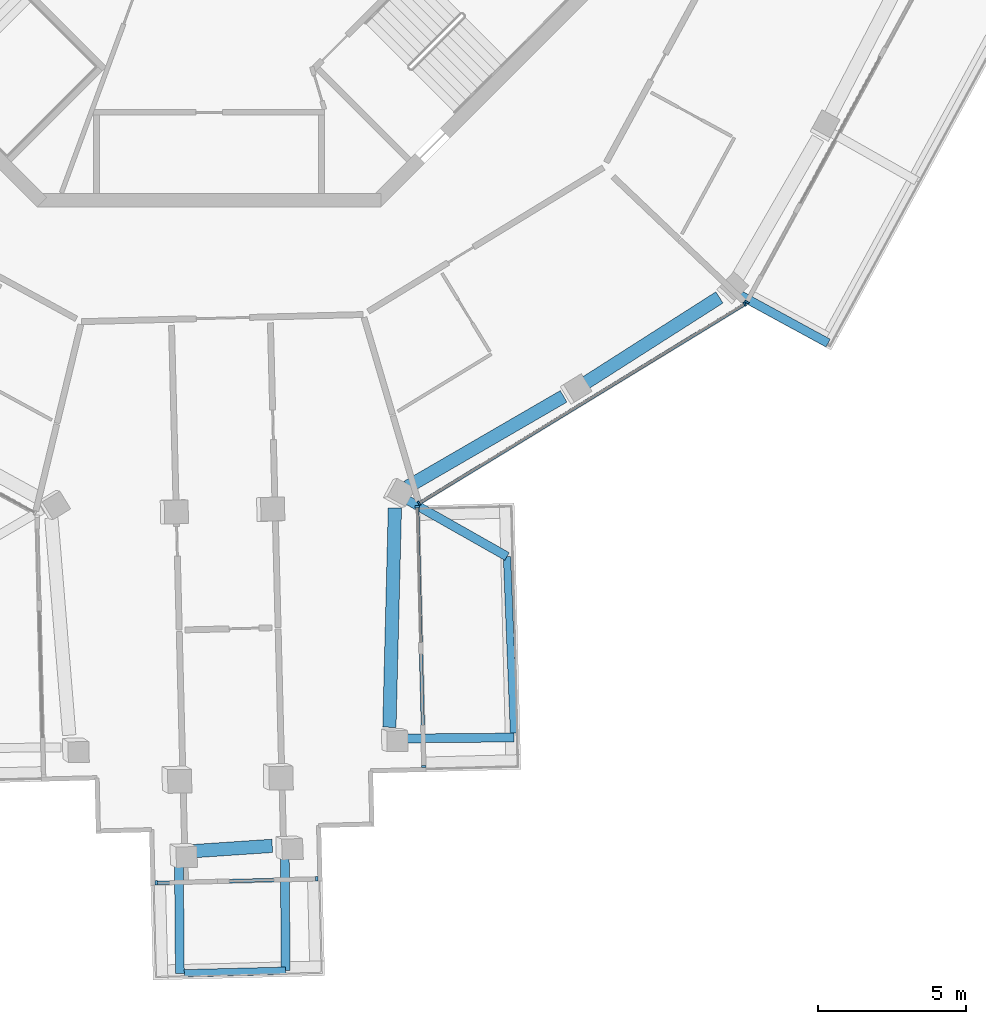
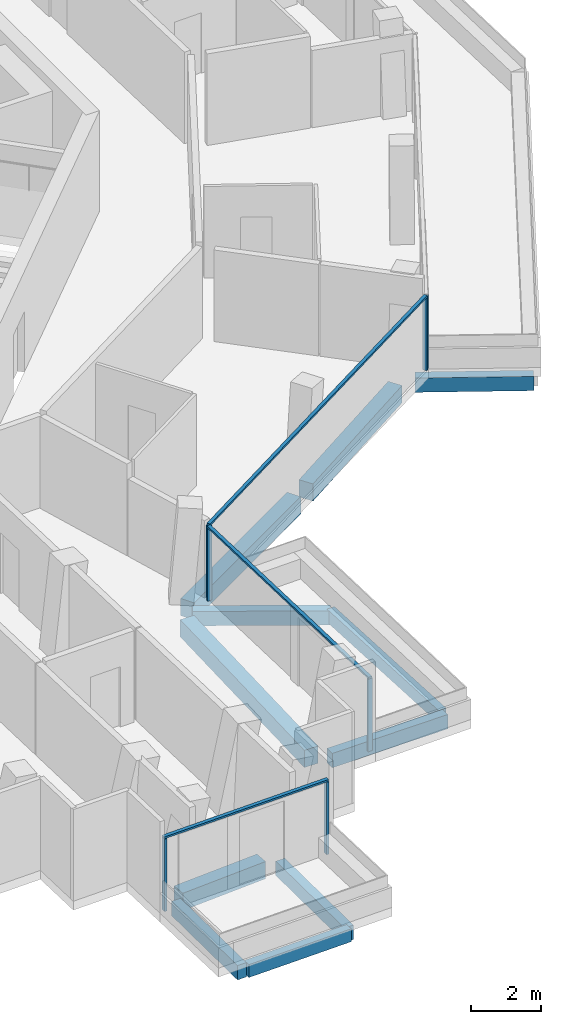
# One storey, part 3 of 26: 11 beams, 10 members, 4 elements without a shape of their own.
"""IFC4 building model written with IfcOpenShell, lengths in metres."""

from ifc_helpers import new_model, si_unit, direction, frame, origin, origin_2d, place, context, subcontext, project, spatial, rectangle, extrude, material, layer, layer_set, material_profile, profile_set, type_object, element, aggregate, save


model = new_model("IFC4")

# Units and contexts
model_context = context("Model", 3, precision=1e-05, world=origin(), true_north=direction((0.0, 1.0)))
body_context = subcontext(model_context, "Body", "Model", "MODEL_VIEW")
ifc_project = project(units=[si_unit("LENGTHUNIT", "METRE"), si_unit("AREAUNIT", "SQUARE_METRE"), si_unit("VOLUMEUNIT", "CUBIC_METRE"), si_unit("PLANEANGLEUNIT", "RADIAN"), si_unit("MASSUNIT", "GRAM", prefix="KILO")], contexts=[model_context])

# Site, building, storey
site_placement = place(None, origin())
site = spatial("IfcSite", under=ifc_project, at=site_placement, CompositionType="ELEMENT")
building_placement = place(site_placement, origin())
building = spatial("IfcBuilding", under=site, at=building_placement, Name="Verdalira Terraces Hotel", CompositionType="ELEMENT")
storey_placement = place(building_placement, frame((0.0, 0.0, 284.5)))
storey = spatial("IfcBuildingStorey", under=building, at=storey_placement, Name="L70", CompositionType="ELEMENT", Elevation=284.5)

# Beams
ifc_material_1 = material(Name="Concrete C40", Category="concrete")
ifc_material_profile_1 = material_profile(ifc_material_1, rectangle(XDim=0.300049, YDim=0.5, at=origin_2d()), Name="RC 300X500")
ifc_profile_set_1 = profile_set([ifc_material_profile_1], Name="Concrete C40")
beam_type_1 = type_object("IfcBeamType", Name="Balcony cantilever beam RC 300X500 C40", PredefinedType="BEAM", material=ifc_profile_set_1)
beam_1_placement = place(storey_placement, frame((-1.019775, -36.178223, -0.560059), z_axis=(0.008415218, -0.999964591, 0.0), x_axis=(0.999964591, 0.008415218, 0.0)))
element("IfcBeam", 1, at=beam_1_placement, inside=storey, type_object=beam_type_1, Name="Balcony cantilever beam R19-1", PredefinedType="BEAM", context=body_context, shape_type="SweptSolid", body=[
    extrude(rectangle(XDim=0.300049, YDim=0.5, at=origin_2d()), origin(), (0.0, 0.0, 1.0), 3.713623),
])
beam_2_placement = place(storey_placement, frame((2.55542, -35.933594, -0.560059), z_axis=(0.008394049, -0.999964769, 0.0), x_axis=(0.999964769, 0.008394049, 0.0)))
element("IfcBeam", 2, at=beam_2_placement, inside=storey, type_object=beam_type_1, Name="Balcony cantilever beam R19-2", PredefinedType="BEAM", context=body_context, shape_type="SweptSolid", body=[
    extrude(rectangle(XDim=0.300049, YDim=0.5, at=origin_2d()), origin(), (0.0, 0.0, 1.0), 3.868408),
])
beam_3_placement = place(storey_placement, frame((6.477783, -31.955078, -0.560059), z_axis=(0.999965093, 0.008355366, 0.0), x_axis=(-0.008355366, 0.999965093, 0.0)))
element("IfcBeam", 3, at=beam_3_placement, inside=storey, type_object=beam_type_1, Name="Balcony cantilever beam R24-1", PredefinedType="BEAM", context=body_context, shape_type="SweptSolid", body=[
    extrude(rectangle(XDim=0.300049, YDim=0.5, at=origin_2d()), origin(), (0.0, 0.0, 1.0), 3.827881),
])
beam_4_placement = place(storey_placement, frame((6.626465, -23.860352, -0.560059), z_axis=(0.870183857, -0.492727161, 0.0), x_axis=(0.492727161, 0.870183857, 0.0)))
element("IfcBeam", 4, at=beam_4_placement, inside=storey, type_object=beam_type_1, Name="Balcony cantilever beam R24-2", PredefinedType="BEAM", context=body_context, shape_type="SweptSolid", body=[
    extrude(rectangle(XDim=0.300049, YDim=0.5, at=origin_2d()), origin(), (0.0, 0.0, 1.0), 3.949951),
])
beam_5_placement = place(storey_placement, frame((17.938477, -16.978516, -0.560059), z_axis=(0.878308619, -0.478094101, 0.0), x_axis=(0.478094101, 0.878308619, 0.0)))
element("IfcBeam", 5, at=beam_5_placement, inside=storey, type_object=beam_type_1, Name="Balcony cantilever beam R26-1", PredefinedType="BEAM", context=body_context, shape_type="SweptSolid", body=[
    extrude(rectangle(XDim=0.300049, YDim=0.5, at=origin_2d()), origin(), (0.0, 0.0, 1.0), 3.385742),
])
ifc_material_2 = material(Name="Concrete C40", Category="concrete")
ifc_material_profile_2 = material_profile(ifc_material_2, rectangle(XDim=0.25, YDim=0.449951, at=origin_2d()), Name="RC 250X450")
ifc_profile_set_2 = profile_set([ifc_material_profile_2], Name="Concrete C40")
beam_type_2 = type_object("IfcBeamType", Name="Balcony edge beam RC 250X450 C40", PredefinedType="BEAM", material=ifc_profile_set_2)
beam_6_placement = place(storey_placement, frame((-0.838623, -39.887695, -0.534912), z_axis=(0.999685641, 0.025072273, 0.0), x_axis=(-0.025072273, 0.999685641, 0.0)))
element("IfcBeam", 6, at=beam_6_placement, inside=storey, type_object=beam_type_2, Name="Balcony edge beam R19-1", PredefinedType="BEAM", context=body_context, shape_type="SweptSolid", body=[
    extrude(rectangle(XDim=0.25, YDim=0.449951, at=origin_2d()), origin(), (0.0, 0.0, 1.0), 3.42749),
])
beam_7_placement = place(storey_placement, frame((10.299561, -31.773193, -0.534912), z_axis=(-0.039496144, 0.999219723, 0.0), x_axis=(-0.999219723, -0.039496144, 0.0)))
element("IfcBeam", 7, at=beam_7_placement, inside=storey, type_object=beam_type_2, Name="Balcony edge beam R24-1", PredefinedType="BEAM", context=body_context, shape_type="SweptSolid", body=[
    extrude(rectangle(XDim=0.25, YDim=0.449951, at=origin_2d()), origin(), (0.0, 0.0, 1.0), 5.971191),
])

# Curtain wall, members
ifc_material_3 = material(Name="Clear glass", Category="glass")
ifc_layer_1 = layer(ifc_material_3, 0.14990234375)
ifc_layer_set_1 = layer_set([ifc_layer_1], Name="CW1 curtain wall")
curtain_wall_type_1 = type_object("IfcCurtainWallType", Name="CW1 curtain wall", PredefinedType="NOTDEFINED", material=ifc_layer_set_1)
curtain_wall_1_placement = place(storey_placement, origin())
curtain_wall_1 = element("IfcCurtainWall", 8, at=curtain_wall_1_placement, inside=storey, type_object=curtain_wall_type_1, Name="CW1 curtain wall L70 edge 25", PredefinedType="NOTDEFINED")
ifc_material_4 = material(Name="Terracotta frame", Category="masonry")
ifc_material_profile_3 = material_profile(ifc_material_4, rectangle(XDim=0.060059, YDim=0.149902, at=origin_2d()), Name="MU 60x150")
ifc_profile_set_3 = profile_set([ifc_material_profile_3], Name="Terracotta frame")
member_type_1 = type_object("IfcMemberType", Name="CW1 mullion 60x150", PredefinedType="MULLION", material=ifc_profile_set_3)
member_1_placement = place(storey_placement, frame((7.093994, -24.007568, 0.0), z_axis=(0.0, 0.0, 1.0), x_axis=(0.853186856, 0.521605396, 0.0)))
member_1 = element("IfcMember", 9, at=member_1_placement, type_object=member_type_1, Name="CW1 mullion", PredefinedType="MULLION", context=body_context, shape_type="SweptSolid", body=[
    extrude(rectangle(XDim=0.060059, YDim=0.149902, at=origin_2d()), origin(), (0.0, 0.0, 1.0), 2.524902),
])
member_2_placement = place(storey_placement, frame((18.100098, -17.279053, 0.0), z_axis=(0.0, 0.0, 1.0), x_axis=(0.853186856, 0.521605396, 0.0)))
member_2 = element("IfcMember", 10, at=member_2_placement, type_object=member_type_1, Name="CW1 mullion", PredefinedType="MULLION", context=body_context, shape_type="SweptSolid", body=[
    extrude(rectangle(XDim=0.060059, YDim=0.149902, at=origin_2d()), origin(), (0.0, 0.0, 1.0), 2.524902),
])

# Curtain wall, member
curtain_wall_2_placement = place(storey_placement, origin())
curtain_wall_2 = element("IfcCurtainWall", 11, at=curtain_wall_2_placement, inside=storey, type_object=curtain_wall_type_1, Name="CW1 curtain wall L70 edge 26", PredefinedType="NOTDEFINED")
member_3_placement = place(storey_placement, frame((18.166748, -17.208984, 0.0), z_axis=(0.0, 0.0, 1.0), x_axis=(0.478078794, 0.878316951, 0.0)))
member_3 = element("IfcMember", 12, at=member_3_placement, type_object=member_type_1, Name="CW1 mullion", PredefinedType="MULLION", context=body_context, shape_type="SweptSolid", body=[
    extrude(rectangle(XDim=0.060059, YDim=0.149902, at=origin_2d()), origin(), (0.0, 0.0, 1.0), 2.524902),
])
aggregate(curtain_wall_2, [member_3])

# Member
ifc_material_5 = material(Name="Terracotta frame", Category="masonry")
ifc_material_profile_4 = material_profile(ifc_material_5, rectangle(XDim=0.110107, YDim=0.064941, at=origin_2d()), Name="TR 65x110")
ifc_profile_set_4 = profile_set([ifc_material_profile_4], Name="Terracotta frame")
member_type_2 = type_object("IfcMemberType", Name="CW1 transom 65x110", PredefinedType="USERDEFINED", material=ifc_profile_set_4)
member_4_placement = place(storey_placement, frame((7.068359, -24.023438, 2.557617), z_axis=(0.853183098, 0.521611543, 0.0), x_axis=(-0.521611543, 0.853183098, 0.0)))
member_4 = element("IfcMember", 13, at=member_4_placement, type_object=member_type_2, Name="CW1 transom", ObjectType="TRANSOM", PredefinedType="USERDEFINED", context=body_context, shape_type="SweptSolid", body=[
    extrude(rectangle(XDim=0.110107, YDim=0.064941, at=origin_2d()), origin(), (0.0, 0.0, 1.0), 12.959961),
])

aggregate(curtain_wall_1, [member_1, member_2, member_4])

# Curtain wall, members
ifc_material_6 = material(Name="Clear glass", Category="glass")
ifc_layer_2 = layer(ifc_material_6, 0.14990234375)
ifc_layer_set_2 = layer_set([ifc_layer_2], Name="CW2 curtain wall")
curtain_wall_type_2 = type_object("IfcCurtainWallType", Name="CW2 curtain wall", PredefinedType="NOTDEFINED", material=ifc_layer_set_2)
curtain_wall_3_placement = place(storey_placement, origin())
curtain_wall_3 = element("IfcCurtainWall", 14, at=curtain_wall_3_placement, inside=storey, type_object=curtain_wall_type_2, Name="CW2 curtain wall L70 edge 24", PredefinedType="NOTDEFINED")
ifc_material_7 = material(Name="Terracotta frame", Category="masonry")
ifc_material_profile_5 = material_profile(ifc_material_7, rectangle(XDim=0.070068, YDim=0.149902, at=origin_2d()), Name="MU 70x150")
ifc_profile_set_5 = profile_set([ifc_material_profile_5], Name="Terracotta frame")
member_type_3 = type_object("IfcMemberType", Name="CW2 mullion 70x150", PredefinedType="MULLION", material=ifc_profile_set_5)
member_5_placement = place(storey_placement, frame((7.253906, -32.897217, 0.0), z_axis=(0.0, 0.0, 1.0), x_axis=(-0.025130095, 0.999684189, 0.0)))
member_5 = element("IfcMember", 15, at=member_5_placement, type_object=member_type_3, Name="CW2 mullion", PredefinedType="MULLION", context=body_context, shape_type="SweptSolid", body=[
    extrude(rectangle(XDim=0.070068, YDim=0.149902, at=origin_2d()), origin(), (0.0, 0.0, 1.0), 2.524902),
])
member_6_placement = place(storey_placement, frame((7.033447, -24.124268, 0.0), z_axis=(0.0, 0.0, 1.0), x_axis=(-0.025130095, 0.999684189, 0.0)))
member_6 = element("IfcMember", 16, at=member_6_placement, type_object=member_type_3, Name="CW2 mullion", PredefinedType="MULLION", context=body_context, shape_type="SweptSolid", body=[
    extrude(rectangle(XDim=0.070068, YDim=0.149902, at=origin_2d()), origin(), (0.0, 0.0, 1.0), 2.524902),
])
ifc_material_8 = material(Name="Terracotta frame", Category="masonry")
ifc_material_profile_6 = material_profile(ifc_material_8, rectangle(XDim=0.11499, YDim=0.064941, at=origin_2d()), Name="TR 65x115")
ifc_profile_set_6 = profile_set([ifc_material_profile_6], Name="Terracotta frame")
member_type_4 = type_object("IfcMemberType", Name="CW2 transom 65x115", PredefinedType="USERDEFINED", material=ifc_profile_set_6)
member_7_placement = place(storey_placement, frame((7.254883, -32.932129, 2.557617), z_axis=(-0.025143204, 0.99968386, 0.0), x_axis=(-0.99968386, -0.025143204, 0.0)))
member_7 = element("IfcMember", 17, at=member_7_placement, type_object=member_type_4, Name="CW2 transom", ObjectType="TRANSOM", PredefinedType="USERDEFINED", context=body_context, shape_type="SweptSolid", body=[
    extrude(rectangle(XDim=0.11499, YDim=0.064941, at=origin_2d()), origin(), (0.0, 0.0, 1.0), 8.845703),
])
aggregate(curtain_wall_3, [member_5, member_6, member_7])

ifc_material_9 = material(Name="Clear glass", Category="glass")
ifc_layer_3 = layer(ifc_material_9, 0.14990234375)
ifc_layer_set_3 = layer_set([ifc_layer_3], Name="CW3 curtain wall")
curtain_wall_type_3 = type_object("IfcCurtainWallType", Name="CW3 curtain wall", PredefinedType="NOTDEFINED", material=ifc_layer_set_3)
curtain_wall_4_placement = place(storey_placement, origin())
curtain_wall_4 = element("IfcCurtainWall", 18, at=curtain_wall_4_placement, inside=storey, type_object=curtain_wall_type_3, Name="CW3 curtain wall L70 edge 19", PredefinedType="NOTDEFINED")
ifc_material_10 = material(Name="Terracotta frame", Category="masonry")
ifc_material_profile_7 = material_profile(ifc_material_10, rectangle(XDim=0.080078, YDim=0.149902, at=origin_2d()), Name="MU 80x150")
ifc_profile_set_7 = profile_set([ifc_material_profile_7], Name="Terracotta frame")
member_type_5 = type_object("IfcMemberType", Name="CW3 mullion 80x150", PredefinedType="MULLION", material=ifc_profile_set_7)
member_8_placement = place(storey_placement, frame((-1.784912, -36.835693, 0.0), z_axis=(0.0, 0.0, 1.0), x_axis=(0.999684189, 0.025130095, 0.0)))
member_8 = element("IfcMember", 19, at=member_8_placement, type_object=member_type_5, Name="CW3 mullion", PredefinedType="MULLION", context=body_context, shape_type="SweptSolid", body=[
    extrude(rectangle(XDim=0.080078, YDim=0.149902, at=origin_2d()), origin(), (0.0, 0.0, 1.0), 2.524902),
])
member_9_placement = place(storey_placement, frame((3.633301, -36.699463, 0.0), z_axis=(0.0, 0.0, 1.0), x_axis=(0.999684189, 0.025130095, 0.0)))
member_9 = element("IfcMember", 20, at=member_9_placement, type_object=member_type_5, Name="CW3 mullion", PredefinedType="MULLION", context=body_context, shape_type="SweptSolid", body=[
    extrude(rectangle(XDim=0.080078, YDim=0.149902, at=origin_2d()), origin(), (0.0, 0.0, 1.0), 2.524902),
])
ifc_material_11 = material(Name="Terracotta frame", Category="masonry")
ifc_material_profile_8 = material_profile(ifc_material_11, rectangle(XDim=0.120117, YDim=0.064941, at=origin_2d()), Name="TR 65x120")
ifc_profile_set_8 = profile_set([ifc_material_profile_8], Name="Terracotta frame")
member_type_6 = type_object("IfcMemberType", Name="CW3 transom 65x120", PredefinedType="USERDEFINED", material=ifc_profile_set_8)
member_10_placement = place(storey_placement, frame((-1.824951, -36.83667, 2.557617), z_axis=(0.999684338, 0.025124166, 0.0), x_axis=(-0.025124166, 0.999684338, 0.0)))
member_10 = element("IfcMember", 21, at=member_10_placement, type_object=member_type_6, Name="CW3 transom", ObjectType="TRANSOM", PredefinedType="USERDEFINED", context=body_context, shape_type="SweptSolid", body=[
    extrude(rectangle(XDim=0.120117, YDim=0.064941, at=origin_2d()), origin(), (0.0, 0.0, 1.0), 5.5),
])
aggregate(curtain_wall_4, [member_8, member_9, member_10])

# Beams
ifc_material_12 = material(Name="Concrete C40", Category="concrete")
ifc_material_profile_9 = material_profile(ifc_material_12, rectangle(XDim=0.449951, YDim=0.600098, at=origin_2d()), Name="RC 450X600")
ifc_profile_set_9 = profile_set([ifc_material_profile_9], Name="Concrete C40")
beam_type_3 = type_object("IfcBeamType", Name="Spandrel beam RC 450X600 C40", PredefinedType="SPANDREL", material=ifc_profile_set_9)
beam_8_placement = place(storey_placement, frame((-0.705322, -35.772949, -0.610107), z_axis=(0.997761161, 0.066877985, 0.0), x_axis=(-0.066877985, 0.997761161, 0.0)))
element("IfcBeam", 22, at=beam_8_placement, inside=storey, type_object=beam_type_3, Name="Spandrel beam B11", PredefinedType="SPANDREL", context=body_context, shape_type="SweptSolid", body=[
    extrude(rectangle(XDim=0.449951, YDim=0.600098, at=origin_2d()), origin(), (0.0, 0.0, 1.0), 2.84375),
])
beam_9_placement = place(storey_placement, frame((6.090576, -31.576416, -0.610107), z_axis=(0.025011951, 0.999687152, 0.0), x_axis=(-0.999687152, 0.025011951, 0.0)))
element("IfcBeam", 23, at=beam_9_placement, inside=storey, type_object=beam_type_3, Name="Spandrel beam B12", PredefinedType="SPANDREL", context=body_context, shape_type="SweptSolid", body=[
    extrude(rectangle(XDim=0.449951, YDim=0.600098, at=origin_2d()), origin(), (0.0, 0.0, 1.0), 7.408447),
])
beam_10_placement = place(storey_placement, frame((6.701904, -23.456543, -0.610107), z_axis=(0.865019372, 0.501738463, 0.0), x_axis=(-0.501738463, 0.865019372, 0.0)))
element("IfcBeam", 24, at=beam_10_placement, inside=storey, type_object=beam_type_3, Name="Spandrel beam B13", PredefinedType="SPANDREL", context=body_context, shape_type="SweptSolid", body=[
    extrude(rectangle(XDim=0.449951, YDim=0.600098, at=origin_2d()), origin(), (0.0, 0.0, 1.0), 6.097412),
])
beam_11_placement = place(storey_placement, frame((12.586426, -20.025635, -0.610107), z_axis=(0.842972554, 0.537956572, 0.0), x_axis=(-0.537956572, 0.842972554, 0.0)))
element("IfcBeam", 25, at=beam_11_placement, inside=storey, type_object=beam_type_3, Name="Spandrel beam B14", PredefinedType="SPANDREL", context=body_context, shape_type="SweptSolid", body=[
    extrude(rectangle(XDim=0.449951, YDim=0.600098, at=origin_2d()), origin(), (0.0, 0.0, 1.0), 5.52124),
])

save(model, "model.ifc")
